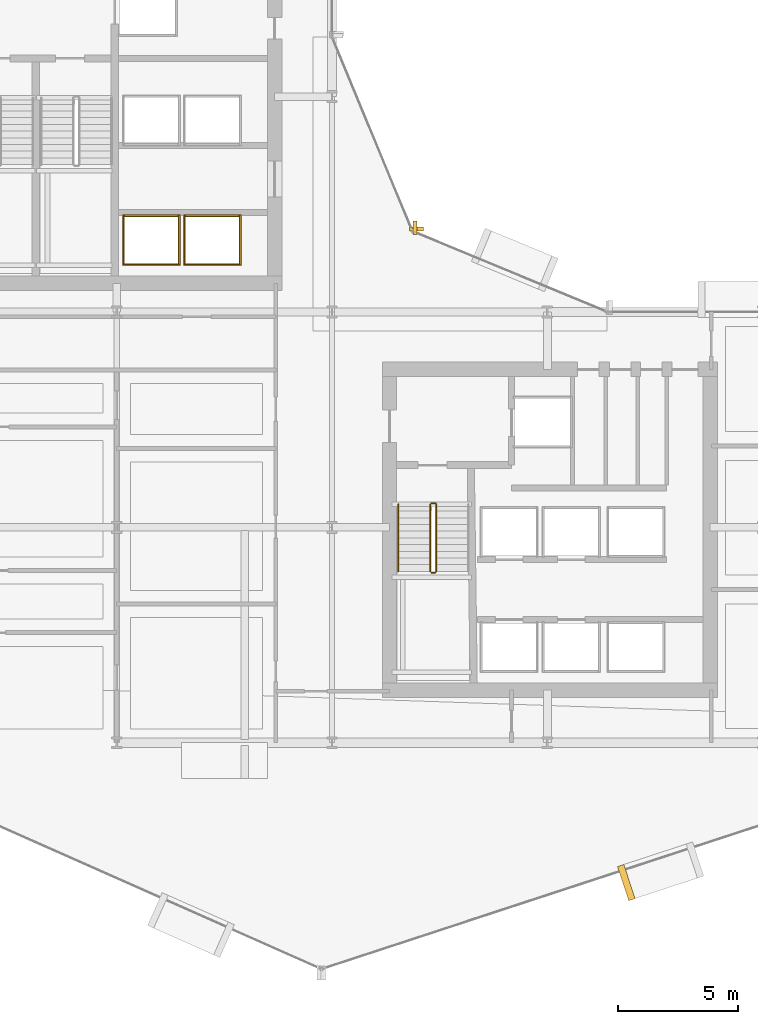
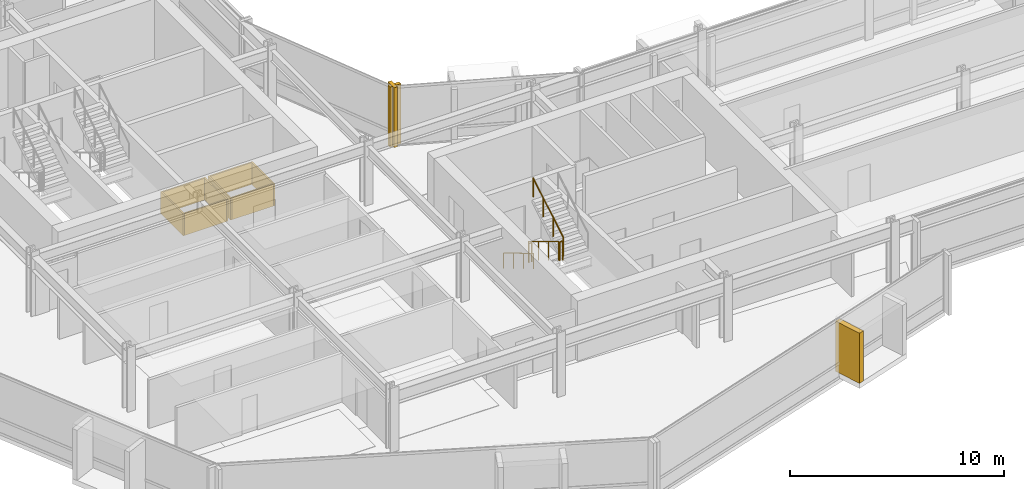
# One storey, part 31 of 34: 11 coverings, 5 railings.
"""IFC4 building model written with IfcOpenShell, lengths in metres."""

from ifc_helpers import new_model, si_unit, direction, frame, origin, origin_2d, place, context, subcontext, project, spatial, rectangle, circle, extrude, material, layer, layer_set, type_object, element, save


model = new_model("IFC4")

# Units and contexts
model_context = context("Model", 3, precision=1e-05, world=origin(), true_north=direction((0.0, 1.0)))
body_context = subcontext(model_context, "Body", "Model", "MODEL_VIEW")
ifc_project = project(units=[si_unit("LENGTHUNIT", "METRE"), si_unit("AREAUNIT", "SQUARE_METRE"), si_unit("VOLUMEUNIT", "CUBIC_METRE"), si_unit("PLANEANGLEUNIT", "RADIAN"), si_unit("MASSUNIT", "GRAM", prefix="KILO")], contexts=[model_context])

# Site, building, storey
site_placement = place(None, origin())
site = spatial("IfcSite", under=ifc_project, at=site_placement, CompositionType="ELEMENT")
building_placement = place(site_placement, origin())
building = spatial("IfcBuilding", under=site, at=building_placement, Name="Solvaryn Broadcast Tower", CompositionType="ELEMENT")
storey_placement = place(building_placement, frame((0.0, 0.0, 43.39990234375)))
storey = spatial("IfcBuildingStorey", under=building, at=storey_placement, Name="L09", CompositionType="ELEMENT", Elevation=43.39990234375)

# Coverings
ifc_material_1 = material(Name="Fire-Rated Gypsum Shaftwall Liner", Category="concrete")
ifc_layer_1 = layer(ifc_material_1, 0.080078125)
ifc_layer_set_1 = layer_set([ifc_layer_1], Name="CV-SHAFT-LINER")
covering_type_1 = type_object("IfcCoveringType", Name="CV-SHAFT-LINER", PredefinedType="CLADDING", material=ifc_layer_set_1)
for number, where, z_axis, x_axis, name in (
    (1, (19.449951171875, 31.014892578125, 0.0), (0.0, 0.0, 1.0), (1.0, 0.0, 0.0), "L09 PH1 Hoistway Shaft Liner North"),
    (2, (19.449951171875, 28.985107421875, 0.0), (0.0, 0.0, 1.0), (1.0, 0.0, 0.0), "L09 PH1 Hoistway Shaft Liner South"),
):
    element("IfcCovering", number, at=place(storey_placement, frame(where, z_axis=z_axis, x_axis=x_axis)), inside=storey, type_object=covering_type_1, Name=name, PredefinedType="CLADDING", context=body_context, shape_type="SweptSolid", body=[
        extrude(rectangle(XDim=2.409912109375, YDim=0.080078125, at=origin_2d()), origin(), (0.0, 0.0, 1.0), 1.25),
    ])
for number, where, z_axis, x_axis, name in (
    (3, (20.614990234375, 30.0, 0.0), (0.0, 0.0, 1.0), (1.0, 0.0, 0.0), "L09 PH1 Hoistway Shaft Liner East"),
    (4, (18.284912109375, 30.0, 0.0), (0.0, 0.0, 1.0), (1.0, 0.0, 0.0), "L09 PH1 Hoistway Shaft Liner West"),
):
    element("IfcCovering", number, at=place(storey_placement, frame(where, z_axis=z_axis, x_axis=x_axis)), inside=storey, type_object=covering_type_1, Name=name, PredefinedType="CLADDING", context=body_context, shape_type="SweptSolid", body=[
        extrude(rectangle(XDim=0.080078125, YDim=2.110107421875, at=origin_2d()), origin(), (0.0, 0.0, 1.0), 1.25),
    ])
for number, where, z_axis, x_axis, name in (
    (5, (22.0, 31.014892578125, 0.0), (0.0, 0.0, 1.0), (1.0, 0.0, 0.0), "L09 PH2 Hoistway Shaft Liner North"),
    (6, (22.0, 28.985107421875, 0.0), (0.0, 0.0, 1.0), (1.0, 0.0, 0.0), "L09 PH2 Hoistway Shaft Liner South"),
):
    element("IfcCovering", number, at=place(storey_placement, frame(where, z_axis=z_axis, x_axis=x_axis)), inside=storey, type_object=covering_type_1, Name=name, PredefinedType="CLADDING", context=body_context, shape_type="SweptSolid", body=[
        extrude(rectangle(XDim=2.409912109375, YDim=0.080078125, at=origin_2d()), origin(), (0.0, 0.0, 1.0), 1.25),
    ])
for number, where, z_axis, x_axis, name in (
    (7, (23.1650390625, 30.0, 0.0), (0.0, 0.0, 1.0), (1.0, 0.0, 0.0), "L09 PH2 Hoistway Shaft Liner East"),
    (8, (20.8349609375, 30.0, 0.0), (0.0, 0.0, 1.0), (1.0, 0.0, 0.0), "L09 PH2 Hoistway Shaft Liner West"),
):
    element("IfcCovering", number, at=place(storey_placement, frame(where, z_axis=z_axis, x_axis=x_axis)), inside=storey, type_object=covering_type_1, Name=name, PredefinedType="CLADDING", context=body_context, shape_type="SweptSolid", body=[
        extrude(rectangle(XDim=0.080078125, YDim=2.110107421875, at=origin_2d()), origin(), (0.0, 0.0, 1.0), 1.25),
    ])
ifc_material_2 = material(Name="Glazed Architectural Terracotta Rainscreen Cladding", Category="masonry")
ifc_layer_2 = layer(ifc_material_2, 0.280029296875)
ifc_layer_set_2 = layer_set([ifc_layer_2], Name="CV-TC-CLAD")
covering_type_2 = type_object("IfcCoveringType", Name="CV-TC-CLAD", PredefinedType="CLADDING", material=ifc_layer_set_2)
covering_1_placement = place(storey_placement, frame((39.298095703125, 3.155517578125, 0.2802734375), z_axis=(0.0, 0.0, 1.0), x_axis=(0.950189870912, 0.311671636848, 0.0)))
element("IfcCovering", 9, at=covering_1_placement, inside=storey, type_object=covering_type_2, Name="L09 Projecting Stone Window Box Cheek 4-1", PredefinedType="CLADDING", context=body_context, shape_type="SweptSolid", body=[
    extrude(rectangle(XDim=0.280029296875, YDim=1.5, at=origin_2d()), origin(), (0.0, 0.0, 1.0), 2.860107421875),
])
ifc_material_3 = material(Name="Extruded Architectural Terracotta Fin", Category="masonry")
ifc_layer_3 = layer(ifc_material_3, 0.179931640625)
ifc_layer_set_3 = layer_set([ifc_layer_3], Name="CV-TC-FIN")
covering_type_3 = type_object("IfcCoveringType", Name="CV-TC-FIN", PredefinedType="USERDEFINED", material=ifc_layer_set_3)
covering_2_placement = place(storey_placement, frame((30.464599609375, 30.52294921875, 0.000244140625), z_axis=(0.0, 0.0, 1.0), x_axis=(1.0, 0.0, 0.0)))
element("IfcCovering", 10, at=covering_2_placement, inside=storey, type_object=covering_type_3, Name="L09 Terracotta Vertical Fin FIN-L09-CN1-M01", ObjectType="FIN", PredefinedType="USERDEFINED", context=body_context, shape_type="SweptSolid", body=[
    extrude(rectangle(XDim=0.179931640625, YDim=0.580078125, at=origin_2d()), origin(), (0.0, 0.0, 1.0), 3.419921875),
])
covering_3_placement = place(storey_placement, frame((30.52294921875, 30.464599609375, 0.000244140625), z_axis=(0.0, 0.0, 1.0), x_axis=(1.0, 0.0, 0.0)))
element("IfcCovering", 11, at=covering_3_placement, inside=storey, type_object=covering_type_3, Name="L09 Terracotta Vertical Fin FIN-L09-CN2-M00", ObjectType="FIN", PredefinedType="USERDEFINED", context=body_context, shape_type="SweptSolid", body=[
    extrude(rectangle(XDim=0.580078125, YDim=0.179931640625, at=origin_2d()), origin(), (0.0, 0.0, 1.0), 3.419921875),
])

# Railings
ifc_material_4 = material(Name="Painted Steel Stair Well Guard", Category="steel")
railing_type_1 = type_object("IfcRailingType", Name="RL-STAIR-GUARD", PredefinedType="BALUSTRADE", material=ifc_material_4)
railing_1_placement = place(storey_placement, frame((31.110107421875, 18.9599609375, 0.168212890625)))
element("IfcRailing", 12, at=railing_1_placement, inside=storey, type_object=railing_type_1, Name="L09 ST3 stair guard 1", PredefinedType="BALUSTRADE", context=body_context, shape_type="SweptSolid", body=[
    extrude(circle(Radius=0.02392578125, at=origin_2d()), frame((0.0, 0.0, 1.076171875), z_axis=(0.0, -0.857242210791, 0.514913383045), x_axis=(1.0, 0.0, 0.0)), (0.0, 0.0, 1.0), 3.266357421875),
    extrude(circle(Radius=0.02099609375, at=origin_2d()), origin(), (0.0, 0.0, 1.0), 1.052001953125),
    extrude(circle(Radius=0.02099609375, at=origin_2d()), frame((0.0, -0.933349609375, 0.560546875)), (0.0, 0.0, 1.0), 1.052001953125),
    extrude(circle(Radius=0.02099609375, at=origin_2d()), frame((0.0, -1.86669921875, 1.121337890625)), (0.0, 0.0, 1.0), 1.052001953125),
    extrude(circle(Radius=0.02099609375, at=origin_2d()), frame((0.0, -2.800048828125, 1.681884765625)), (0.0, 0.0, 1.0), 1.052001953125),
])
railing_2_placement = place(storey_placement, frame((31.159912109375, 16.110107421875, 1.85009765625)))
element("IfcRailing", 13, at=railing_2_placement, inside=storey, type_object=railing_type_1, Name="L09 ST3 stair guard 2", PredefinedType="BALUSTRADE", context=body_context, shape_type="SweptSolid", body=[
    extrude(circle(Radius=0.02392578125, at=origin_2d()), frame((0.0, 0.0, 1.076171875), z_axis=(1.0, 0.0, 0.0), x_axis=(0.0, 1.0, 0.0)), (0.0, 0.0, 1.0), 0.150146484375),
    extrude(circle(Radius=0.02099609375, at=origin_2d()), origin(), (0.0, 0.0, 1.0), 1.052001953125),
    extrude(circle(Radius=0.02099609375, at=origin_2d()), frame((0.150146484375, 0.0, 0.0)), (0.0, 0.0, 1.0), 1.052001953125),
])
railing_3_placement = place(storey_placement, frame((31.360107421875, 16.159912109375, 2.018310546875)))
element("IfcRailing", 14, at=railing_3_placement, inside=storey, type_object=railing_type_1, Name="L09 ST3 stair guard 3", PredefinedType="BALUSTRADE", context=body_context, shape_type="SweptSolid", body=[
    extrude(circle(Radius=0.02392578125, at=origin_2d()), frame((0.0, 0.0, 1.076171875), z_axis=(0.0, 0.857242210791, 0.514913383045), x_axis=(-1.0, 0.0, 0.0)), (0.0, 0.0, 1.0), 3.266357421875),
    extrude(circle(Radius=0.02099609375, at=origin_2d()), origin(), (0.0, 0.0, 1.0), 1.052001953125),
    extrude(circle(Radius=0.02099609375, at=origin_2d()), frame((0.0, 0.933349609375, 0.560546875)), (0.0, 0.0, 1.0), 1.052001953125),
    extrude(circle(Radius=0.02099609375, at=origin_2d()), frame((0.0, 1.86669921875, 1.121337890625)), (0.0, 0.0, 1.0), 1.052001953125),
    extrude(circle(Radius=0.02099609375, at=origin_2d()), frame((0.0, 2.800048828125, 1.681884765625)), (0.0, 0.0, 1.0), 1.052001953125),
])
railing_4_placement = place(storey_placement, frame((31.159912109375, 19.010009765625, 0.0)))
element("IfcRailing", 15, at=railing_4_placement, inside=storey, type_object=railing_type_1, Name="L09 ST3 stair guard 4", PredefinedType="BALUSTRADE", context=body_context, shape_type="SweptSolid", body=[
    extrude(circle(Radius=0.02392578125, at=origin_2d()), frame((0.0, 0.0, 1.076171875), z_axis=(1.0, 0.0, 0.0), x_axis=(0.0, 1.0, 0.0)), (0.0, 0.0, 1.0), 0.150146484375),
    extrude(circle(Radius=0.02099609375, at=origin_2d()), origin(), (0.0, 0.0, 1.0), 1.052001953125),
    extrude(circle(Radius=0.02099609375, at=origin_2d()), frame((0.150146484375, 0.0, 0.0)), (0.0, 0.0, 1.0), 1.052001953125),
])
ifc_material_5 = material(Name="Brushed Stainless Steel Tubular Handrail", Category="steel")
railing_type_2 = type_object("IfcRailingType", Name="RL-STAIR-HANDRAIL", PredefinedType="HANDRAIL", material=ifc_material_5)
railing_5_placement = place(storey_placement, frame((29.77001953125, 18.9599609375, 0.168212890625)))
element("IfcRailing", 16, at=railing_5_placement, inside=storey, type_object=railing_type_2, Name="L09 ST3 stair handrail 1", PredefinedType="HANDRAIL", context=body_context, shape_type="SweptSolid", body=[
    extrude(circle(Radius=0.02392578125, at=origin_2d()), frame((0.0, 0.0, 0.8759765625), z_axis=(0.0, -0.857242210791, 0.514913383045), x_axis=(1.0, 0.0, 0.0)), (0.0, 0.0, 1.0), 3.266357421875),
    extrude(circle(Radius=0.02099609375, at=origin_2d()), origin(), (0.0, 0.0, 1.0), 0.851806640625),
    extrude(circle(Radius=0.02099609375, at=origin_2d()), frame((0.0, -0.933349609375, 0.560546875)), (0.0, 0.0, 1.0), 0.851806640625),
    extrude(circle(Radius=0.02099609375, at=origin_2d()), frame((0.0, -1.86669921875, 1.121337890625)), (0.0, 0.0, 1.0), 0.851806640625),
    extrude(circle(Radius=0.02099609375, at=origin_2d()), frame((0.0, -2.800048828125, 1.681884765625)), (0.0, 0.0, 1.0), 0.851806640625),
])

save(model, "model.ifc")
